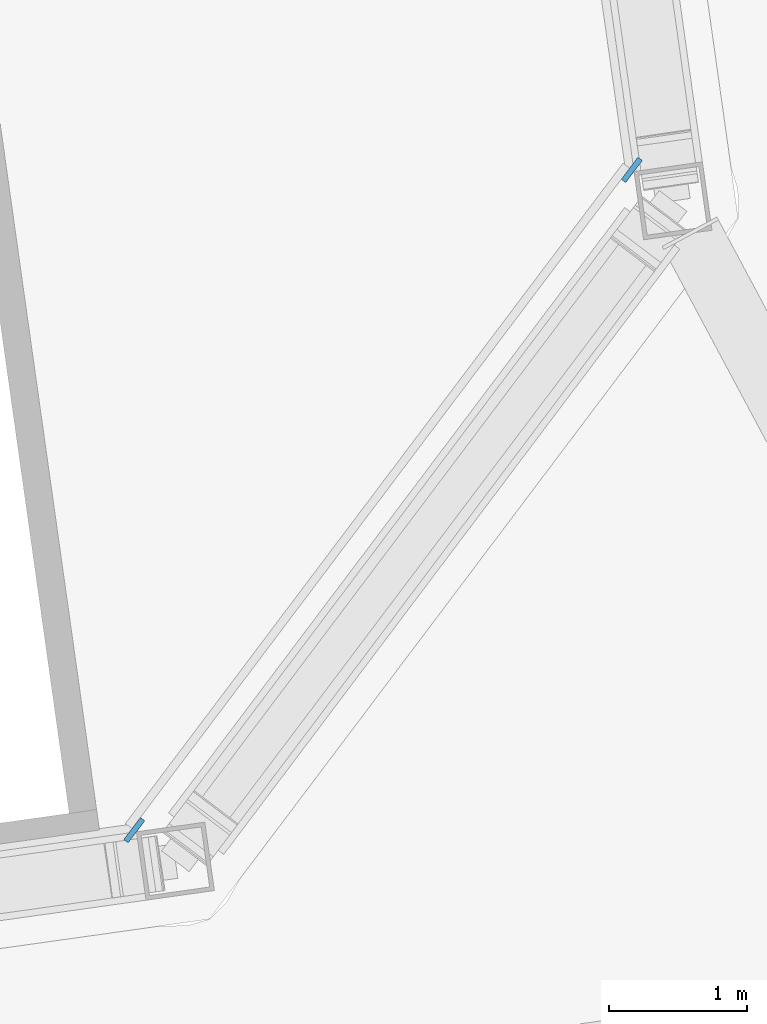
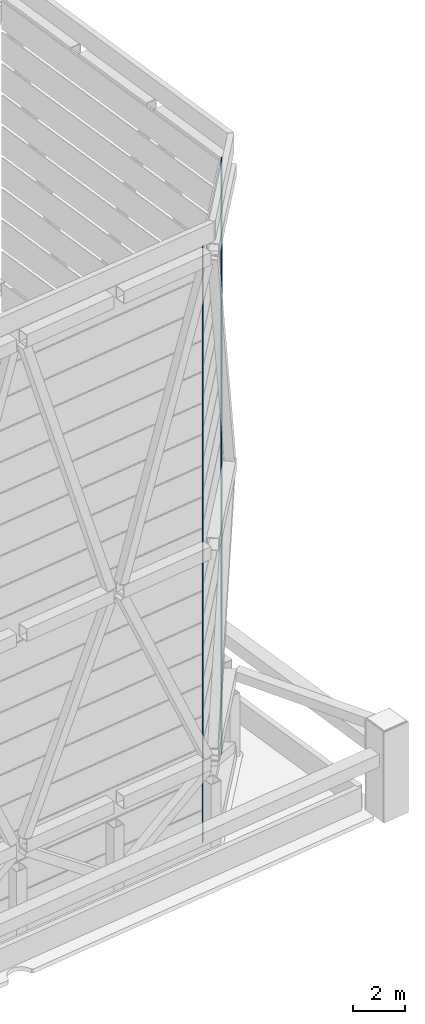
# One storey, part 27 of 45: 2 discrete accessories.
"""IFC4 building model written with IfcOpenShell, lengths in metres."""

from ifc_helpers import new_model, si_unit, direction, frame, origin, origin_2d, place, context, subcontext, project, spatial, rectangle, extrude, material, layer, layer_set, type_object, element, save


model = new_model("IFC4")

# Units and contexts
model_context = context("Model", 3, precision=1e-05, world=origin(), true_north=direction((0.0, 1.0)))
body_context = subcontext(model_context, "Body", "Model", "MODEL_VIEW")
ifc_project = project(units=[si_unit("LENGTHUNIT", "METRE"), si_unit("AREAUNIT", "SQUARE_METRE"), si_unit("VOLUMEUNIT", "CUBIC_METRE"), si_unit("PLANEANGLEUNIT", "RADIAN"), si_unit("MASSUNIT", "GRAM", prefix="KILO")], contexts=[model_context])

# Site, building, storey
site_placement = place(None, origin())
site = spatial("IfcSite", under=ifc_project, at=site_placement, CompositionType="ELEMENT")
building_placement = place(site_placement, origin())
building = spatial("IfcBuilding", under=site, at=building_placement, Name="Mirante Cascada Hotel Towers", CompositionType="ELEMENT")
storey_placement = place(building_placement, frame((0.0, 0.0, 269.8)))
storey = spatial("IfcBuildingStorey", under=building, at=storey_placement, Name="Roof garden", CompositionType="ELEMENT", Elevation=269.8)

# Discrete accessories
ifc_material = material(Name="Stainless steel AISI 316", Category="steel")
ifc_layer = layer(ifc_material, 0.04)
ifc_layer_set = layer_set([ifc_layer], Name="Support bracket 200x40")
discrete_accessory_type = type_object("IfcDiscreteAccessoryType", Name="Support bracket 200x40", PredefinedType="BRACKET", material=ifc_layer_set)
for number, where, z_axis, x_axis, name in (
    (1, (57.9854, -12.2544, 0.05), (0.0, 0.0, 1.0), (-0.601815, -0.7986355, 0.0), "Louvre support bracket T2"),
    (2, (54.3798, -17.0392, 0.05), (0.0, 0.0, 1.0), (-0.601815, -0.7986355, 0.0), "Louvre support bracket T2"),
):
    element("IfcDiscreteAccessory", number, at=place(storey_placement, frame(where, z_axis=z_axis, x_axis=x_axis)), inside=storey, type_object=discrete_accessory_type, Name=name, PredefinedType="BRACKET", context=body_context, shape_type="SweptSolid", body=[
        extrude(rectangle(XDim=0.2, YDim=0.04, at=origin_2d()), origin(), (0.0, 0.0, 1.0), 28.2),
    ])

save(model, "model.ifc")
